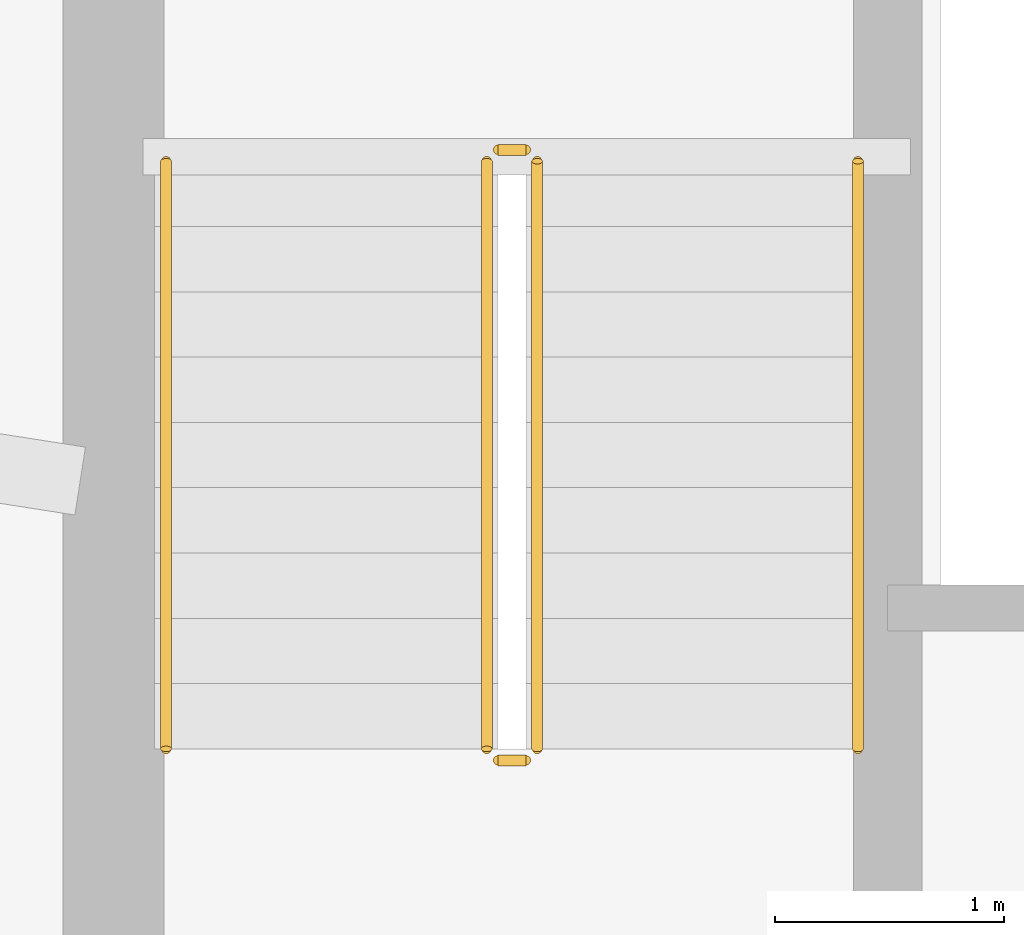
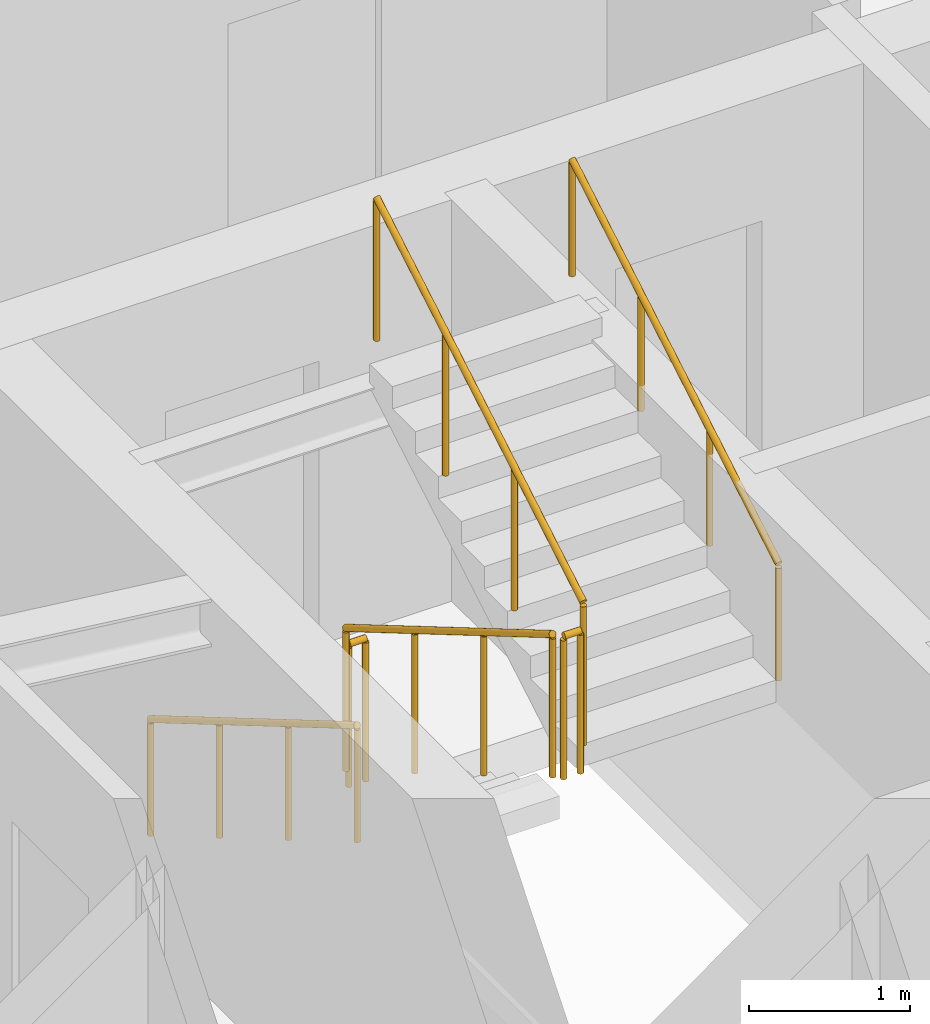
# One storey, part 10 of 11: 6 railings.
"""IFC4 building model written with IfcOpenShell, lengths in metres."""

import ifcopenshell
import ifcopenshell.guid

model = None  # the IFC model being written
_history = None  # IfcOwnerHistory: only IFC2X3 demands one
_inside = {}  # id of a spatial element -> (the spatial element, [elements in it])
_under = {}  # id of a project, library or spatial element -> (it, [spatial elements below it])
_declared = {}  # id of a project -> (the project, [libraries it declares])
_typed = {}  # id of a type object -> (the type object, [elements of that type])
_made_of = {}  # id of a material, layer set ... -> (it, [elements and type objects made of it])


def new_model(schema):
    """Start an empty IFC model of exactly this schema.

    Asked for "IFC4X3", IfcOpenShell would pick the latest addendum, in which some entities
    have other attributes; the version numbers below select the first issue.
    IFC2X3 requires an IfcOwnerHistory on every rooted entity: one is made here for all.
    """
    global model, _history
    if schema == "IFC4X3":
        model = ifcopenshell.file(schema_version=(4, 3, 0, 0))
    else:
        model = ifcopenshell.file(schema=schema)
    _inside.clear()
    _under.clear()
    _declared.clear()
    _typed.clear()
    _made_of.clear()
    _history = None
    if model.schema == "IFC2X3":
        org = make("IfcOrganization", Name="unknown")
        user = make(
            "IfcPersonAndOrganization",
            ThePerson=make("IfcPerson", FamilyName="unknown"),
            TheOrganization=org,
        )
        app = make(
            "IfcApplication",
            ApplicationDeveloper=org,
            Version="unknown",
            ApplicationFullName="unknown",
            ApplicationIdentifier="unknown",
        )
        _history = make(
            "IfcOwnerHistory",
            OwningUser=user,
            OwningApplication=app,
            ChangeAction="ADDED",
            CreationDate=0,
        )
    return model


def make(cls, **values):
    """One entity of the class cls with the attributes given. An attribute that is None is left unset."""
    return model.create_entity(
        cls, **{name: value for name, value in values.items() if value is not None}
    )


def rooted(cls, **values):
    """An entity with a GlobalId (a new one), such as an element, a storey or a relation."""
    return make(cls, GlobalId=ifcopenshell.guid.new(), OwnerHistory=_history, **values)


def si_unit(unit_type, name, prefix=None):
    """IfcSIUnit, for example si_unit("LENGTHUNIT", "METRE", prefix="MILLI")."""
    return make("IfcSIUnit", UnitType=unit_type, Prefix=prefix, Name=name)


def assignment(units):
    """IfcUnitAssignment: the units of a project."""
    return None if units is None else make("IfcUnitAssignment", Units=units)


def point(xyz):
    """IfcCartesianPoint."""
    return None if xyz is None else make("IfcCartesianPoint", Coordinates=xyz)


def direction(xyz):
    """IfcDirection."""
    return None if xyz is None else make("IfcDirection", DirectionRatios=xyz)


def frame(location, z_axis=None, x_axis=None):
    """IfcAxis2Placement3D, a coordinate frame: its origin and axes. An axis left out is left unset."""
    return make(
        "IfcAxis2Placement3D",
        Location=point(location),
        Axis=direction(z_axis),
        RefDirection=direction(x_axis),
    )


def frame_2d(location, x_axis=None):
    """IfcAxis2Placement2D, a coordinate frame in the plane: its origin and x axis."""
    return make(
        "IfcAxis2Placement2D", Location=point(location), RefDirection=direction(x_axis)
    )


def origin():
    """The frame at (0, 0, 0) with its axes left unset."""
    return frame((0.0, 0.0, 0.0))


def origin_2d():
    """The frame at (0, 0) in the plane with its x axis left unset."""
    return frame_2d((0.0, 0.0))


def place(relative_to, where):
    """IfcLocalPlacement: puts the frame where relative to a parent placement (None: the world)."""
    return make(
        "IfcLocalPlacement", PlacementRelTo=relative_to, RelativePlacement=where
    )


def context(
    kind, dimensions, precision=None, world=None, true_north=None, identifier=None
):
    """IfcGeometricRepresentationContext, for example the 3D "Model" context."""
    return make(
        "IfcGeometricRepresentationContext",
        ContextIdentifier=identifier,
        ContextType=kind,
        CoordinateSpaceDimension=dimensions,
        Precision=precision,
        WorldCoordinateSystem=world,
        TrueNorth=true_north,
    )


def subcontext(parent, identifier, kind, view, scale=None):
    """IfcGeometricRepresentationSubContext, for example "Body" below "Model"."""
    return make(
        "IfcGeometricRepresentationSubContext",
        ContextIdentifier=identifier,
        ContextType=kind,
        ParentContext=parent,
        TargetScale=scale,
        TargetView=view,
    )


def project(units=None, contexts=None):
    """IfcProject with its units and contexts."""
    return rooted(
        "IfcProject",
        Name="project",
        RepresentationContexts=contexts,
        UnitsInContext=assignment(units),
    )


def spatial(cls, under=None, at=None, **own):
    """A site, building, storey or space (cls), placed at a placement, below another one or the project."""
    s = rooted(cls, ObjectPlacement=at, **own)
    if under is not None:
        _under.setdefault(under.id(), (under, []))[1].append(s)
    return s


def profile(cls, at=None, kind="AREA", **sizes):
    """A parametric profile (cls). Its sizes go by their IFC names, for example OverallWidth=200.0."""
    return make(cls, ProfileType=kind, Position=at, **sizes)


def circle(**sizes):
    """IfcCircleProfileDef."""
    return profile("IfcCircleProfileDef", **sizes)


def extrude(swept, where, along, depth):
    """IfcExtrudedAreaSolid: the profile swept, set in the frame where, extruded along a direction by depth."""
    return make(
        "IfcExtrudedAreaSolid",
        SweptArea=swept,
        Position=where,
        ExtrudedDirection=direction(along),
        Depth=depth,
    )


def shape(context_of_items, identifier, shape_type, items):
    """IfcShapeRepresentation: the items that make up one representation, for example the "Body"."""
    return make(
        "IfcShapeRepresentation",
        ContextOfItems=context_of_items,
        RepresentationIdentifier=identifier,
        RepresentationType=shape_type,
        Items=items,
    )


def material(Name=None, Category=None):
    """IfcMaterial."""
    return make("IfcMaterial", Name=Name, Category=Category)


def made_of(thing, what):
    """Note that an element or type object is made of a material, layer set ...; save() writes the relation."""
    if what is not None:
        _made_of.setdefault(what.id(), (what, []))[1].append(thing)
    return thing


def type_object(cls, material=None, **own):
    """A type object (cls), such as IfcWallType, which elements share."""
    return made_of(rooted(cls, **own), material)


def element(
    cls,
    number,
    at=None,
    inside=None,
    cuts=None,
    type_object=None,
    material=None,
    context=None,
    identifier="Body",
    shape_type=None,
    held_by="IfcProductDefinitionShape",
    body=None,
    shapes=None,
    **own,
):
    """One element of the class cls, such as IfcWall. Its Tag is "e" and its number.

    at: its placement. inside: the storey or other place that contains it. cuts: it is an
    opening in that element (IfcRelVoidsElement). A single representation is given by context,
    identifier, shape_type and body (its items); several are given by shapes. held_by: the class
    of the entity that holds the representations. save() writes the other relations.
    """
    e = rooted(cls, Tag="e%d" % number, ObjectPlacement=at, **own)
    if body is not None:
        shapes = [shape(context, identifier, shape_type, body)]
    if shapes is not None:
        e.Representation = make(held_by, Representations=shapes)
    if inside is not None:
        _inside.setdefault(inside.id(), (inside, []))[1].append(e)
    if cuts is not None:
        rooted(
            "IfcRelVoidsElement", RelatingBuildingElement=cuts, RelatedOpeningElement=e
        )
    if type_object is not None:
        _typed.setdefault(type_object.id(), (type_object, []))[1].append(e)
    return made_of(e, material)


def aggregate(whole, parts):
    """IfcRelAggregates: a whole, such as a stair, and the parts it consists of."""
    return rooted("IfcRelAggregates", RelatingObject=whole, RelatedObjects=parts)


def save(model, path):
    """Write the relations noted so far, then the file.

    IfcRelAggregates (storeys below a building ...), IfcRelContainedInSpatialStructure (elements
    in a storey), IfcRelDefinesByType, IfcRelAssociatesMaterial and IfcRelDeclares: one each for
    every whole, place, type object, material and project.
    """
    for whole, parts in _under.values():
        aggregate(whole, parts)
    for where, things in _inside.values():
        rooted(
            "IfcRelContainedInSpatialStructure",
            RelatedElements=things,
            RelatingStructure=where,
        )
    for kind, things in _typed.values():
        rooted("IfcRelDefinesByType", RelatedObjects=things, RelatingType=kind)
    for what, things in _made_of.values():
        rooted("IfcRelAssociatesMaterial", RelatedObjects=things, RelatingMaterial=what)
    for by, libraries in _declared.values():
        rooted("IfcRelDeclares", RelatingContext=by, RelatedDefinitions=libraries)
    model.write(path)


model = new_model("IFC4")

# Units and contexts
model_context = context("Model", 3, precision=1e-05, world=origin(), true_north=direction((0.0, 1.0)))
body_context = subcontext(model_context, "Body", "Model", "MODEL_VIEW")
ifc_project = project(units=[si_unit("LENGTHUNIT", "METRE"), si_unit("AREAUNIT", "SQUARE_METRE"), si_unit("VOLUMEUNIT", "CUBIC_METRE"), si_unit("PLANEANGLEUNIT", "RADIAN"), si_unit("MASSUNIT", "GRAM", prefix="KILO")], contexts=[model_context])

# Site, building, storey
site_placement = place(None, origin())
site = spatial("IfcSite", under=ifc_project, at=site_placement, CompositionType="ELEMENT")
building_placement = place(site_placement, origin())
building = spatial("IfcBuilding", under=site, at=building_placement, Name="Qobustan Lattice House", CompositionType="ELEMENT")
storey_placement = place(building_placement, frame((0.0, 0.0, 245.050048828125)))
storey = spatial("IfcBuildingStorey", under=building, at=storey_placement, Name="L69", CompositionType="ELEMENT", Elevation=245.050048828125)

# Railings
ifc_material_1 = material(Name="Brushed stainless steel handrail", Category="steel")
railing_type_1 = type_object("IfcRailingType", Name="RAL-HR-920", PredefinedType="HANDRAIL", material=ifc_material_1)
railing_1_placement = place(storey_placement, frame((-18.199951171875, 3.5, 0.16748046875)))
element("IfcRailing", 1, at=railing_1_placement, inside=storey, type_object=railing_type_1, Name="L69 ST-W1 stair handrail 1", PredefinedType="HANDRAIL", context=body_context, shape_type="SweptSolid", body=[
    extrude(circle(Radius=0.02392578125, at=origin_2d()), frame((0.0, 0.0, 0.8759765625), z_axis=(0.0, -0.862113467892, 0.50671527358), x_axis=(1.0, 0.0, 0.0)), (0.0, 0.0, 1.0), 2.97509765625),
    extrude(circle(Radius=0.02099609375, at=origin_2d()), origin(), (0.0, 0.0, 1.0), 0.851806640625),
    extrude(circle(Radius=0.02099609375, at=origin_2d()), frame((0.0, -0.85498046875, 0.50244140625)), (0.0, 0.0, 1.0), 0.851806640625),
    extrude(circle(Radius=0.02099609375, at=origin_2d()), frame((0.0, -1.7099609375, 1.005126953125)), (0.0, 0.0, 1.0), 0.851806640625),
    extrude(circle(Radius=0.02099609375, at=origin_2d()), frame((0.0, -2.56494140625, 1.507568359375)), (0.0, 0.0, 1.0), 0.851806640625),
])
railing_2_placement = place(storey_placement, frame((-15.179931640625, 0.93505859375, 1.842529296875)))
element("IfcRailing", 2, at=railing_2_placement, inside=storey, type_object=railing_type_1, Name="L69 ST-W1 stair handrail 2", PredefinedType="HANDRAIL", context=body_context, shape_type="SweptSolid", body=[
    extrude(circle(Radius=0.02392578125, at=origin_2d()), frame((0.0, 0.0, 0.8759765625), z_axis=(0.0, 0.862149314443, 0.506654280161), x_axis=(-1.0, 0.0, 0.0)), (0.0, 0.0, 1.0), 2.97509765625),
    extrude(circle(Radius=0.02099609375, at=origin_2d()), origin(), (0.0, 0.0, 1.0), 0.851806640625),
    extrude(circle(Radius=0.02099609375, at=origin_2d()), frame((0.0, 0.85498046875, 0.50244140625)), (0.0, 0.0, 1.0), 0.851806640625),
    extrude(circle(Radius=0.02099609375, at=origin_2d()), frame((0.0, 1.7099609375, 1.0048828125)), (0.0, 0.0, 1.0), 0.851806640625),
    extrude(circle(Radius=0.02099609375, at=origin_2d()), frame((0.0, 2.56494140625, 1.50732421875)), (0.0, 0.0, 1.0), 0.851806640625),
])
ifc_material_2 = material(Name="Painted galvanized steel guardrail", Category="steel")
railing_type_2 = type_object("IfcRailingType", Name="RAL-STG-1150", PredefinedType="GUARDRAIL", material=ifc_material_2)
railing_3_placement = place(storey_placement, frame((-16.800048828125, 3.5, 0.16748046875)))
element("IfcRailing", 3, at=railing_3_placement, inside=storey, type_object=railing_type_2, Name="L69 ST-W1 stair guard 1", PredefinedType="GUARDRAIL", context=body_context, shape_type="SweptSolid", body=[
    extrude(circle(Radius=0.02392578125, at=origin_2d()), frame((0.0, 0.0, 1.076171875), z_axis=(0.0, -0.862113467892, 0.50671527358), x_axis=(1.0, 0.0, 0.0)), (0.0, 0.0, 1.0), 2.97509765625),
    extrude(circle(Radius=0.02099609375, at=origin_2d()), origin(), (0.0, 0.0, 1.0), 1.052001953125),
    extrude(circle(Radius=0.02099609375, at=origin_2d()), frame((0.0, -0.85498046875, 0.50244140625)), (0.0, 0.0, 1.0), 1.052001953125),
    extrude(circle(Radius=0.02099609375, at=origin_2d()), frame((0.0, -1.7099609375, 1.005126953125)), (0.0, 0.0, 1.0), 1.052001953125),
    extrude(circle(Radius=0.02099609375, at=origin_2d()), frame((0.0, -2.56494140625, 1.507568359375)), (0.0, 0.0, 1.0), 1.052001953125),
])
railing_4_placement = place(storey_placement, frame((-16.75, 0.885009765625, 1.675048828125)))
element("IfcRailing", 4, at=railing_4_placement, inside=storey, type_object=railing_type_2, Name="L69 ST-W1 stair guard 2", PredefinedType="GUARDRAIL", context=body_context, shape_type="SweptSolid", body=[
    extrude(circle(Radius=0.02392578125, at=origin_2d()), frame((0.0, 0.0, 1.076171875), z_axis=(1.0, 0.0, 0.0), x_axis=(0.0, 1.0, 0.0)), (0.0, 0.0, 1.0), 0.1201171875),
    extrude(circle(Radius=0.02099609375, at=origin_2d()), origin(), (0.0, 0.0, 1.0), 1.052001953125),
    extrude(circle(Radius=0.02099609375, at=origin_2d()), frame((0.1201171875, 0.0, 0.0)), (0.0, 0.0, 1.0), 1.052001953125),
])
railing_5_placement = place(storey_placement, frame((-16.580078125, 0.93505859375, 1.842529296875)))
element("IfcRailing", 5, at=railing_5_placement, inside=storey, type_object=railing_type_2, Name="L69 ST-W1 stair guard 3", PredefinedType="GUARDRAIL", context=body_context, shape_type="SweptSolid", body=[
    extrude(circle(Radius=0.02392578125, at=origin_2d()), frame((0.0, 0.0, 1.076171875), z_axis=(0.0, 0.862149314443, 0.506654280161), x_axis=(-1.0, 0.0, 0.0)), (0.0, 0.0, 1.0), 2.97509765625),
    extrude(circle(Radius=0.02099609375, at=origin_2d()), origin(), (0.0, 0.0, 1.0), 1.052001953125),
    extrude(circle(Radius=0.02099609375, at=origin_2d()), frame((0.0, 0.85498046875, 0.50244140625)), (0.0, 0.0, 1.0), 1.052001953125),
    extrude(circle(Radius=0.02099609375, at=origin_2d()), frame((0.0, 1.7099609375, 1.0048828125)), (0.0, 0.0, 1.0), 1.052001953125),
    extrude(circle(Radius=0.02099609375, at=origin_2d()), frame((0.0, 2.56494140625, 1.50732421875)), (0.0, 0.0, 1.0), 1.052001953125),
])
railing_6_placement = place(storey_placement, frame((-16.75, 3.550048828125, 0.0)))
element("IfcRailing", 6, at=railing_6_placement, inside=storey, type_object=railing_type_2, Name="L69 ST-W1 stair guard 4", PredefinedType="GUARDRAIL", context=body_context, shape_type="SweptSolid", body=[
    extrude(circle(Radius=0.02392578125, at=origin_2d()), frame((0.0, 0.0, 1.076171875), z_axis=(1.0, 0.0, 0.0), x_axis=(0.0, 1.0, 0.0)), (0.0, 0.0, 1.0), 0.1201171875),
    extrude(circle(Radius=0.02099609375, at=origin_2d()), origin(), (0.0, 0.0, 1.0), 1.052001953125),
    extrude(circle(Radius=0.02099609375, at=origin_2d()), frame((0.1201171875, 0.0, 0.0)), (0.0, 0.0, 1.0), 1.052001953125),
])

save(model, "model.ifc")
